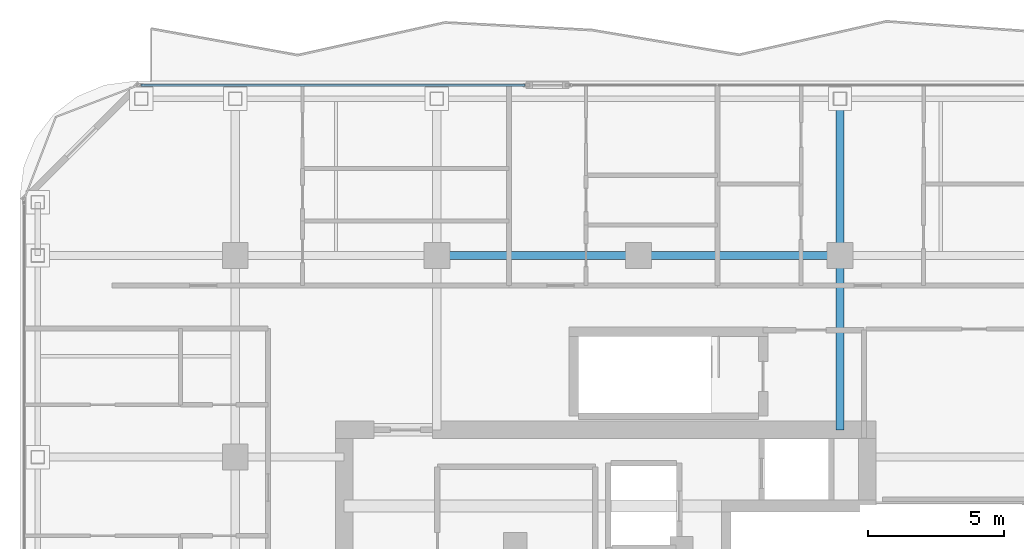
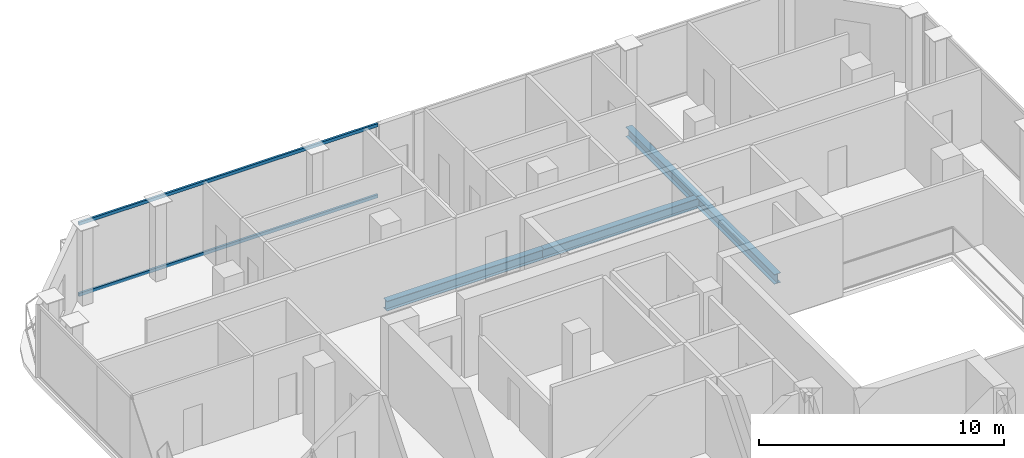
# One storey, part 11 of 22: 4 beams, 2 members, 1 element without a shape of its own.
"""IFC4 building model written with IfcOpenShell, lengths in metres."""

from ifc_helpers import new_model, si_unit, direction, frame, origin, origin_2d, place, context, subcontext, project, spatial, hollow_rectangle, i_section, extrude, material, layer, layer_set, material_profile, profile_set, type_object, element, aggregate, save


model = new_model("IFC4")

# Units and contexts
model_context = context("Model", 3, precision=1e-05, world=origin(), true_north=direction((0.0, 1.0)))
body_context = subcontext(model_context, "Body", "Model", "MODEL_VIEW")
ifc_project = project(units=[si_unit("LENGTHUNIT", "METRE"), si_unit("AREAUNIT", "SQUARE_METRE"), si_unit("VOLUMEUNIT", "CUBIC_METRE"), si_unit("PLANEANGLEUNIT", "RADIAN"), si_unit("MASSUNIT", "GRAM", prefix="KILO")], contexts=[model_context])

# Site, building, storey
site_placement = place(None, origin())
site = spatial("IfcSite", under=ifc_project, at=site_placement, CompositionType="ELEMENT")
building_placement = place(site_placement, origin())
building = spatial("IfcBuilding", under=site, at=building_placement, Name="Khorvyn Point Tower", CompositionType="ELEMENT")
storey_placement = place(building_placement, frame((0.0, 0.0, 309.300048828125)))
storey = spatial("IfcBuildingStorey", under=building, at=storey_placement, Name="L76", CompositionType="ELEMENT", Elevation=309.300048828125)

# Curtain wall, members
ifc_material_1 = material(Name="Anodised aluminium 6063-T6 and laminated Low-E glass", Category="aluminium")
ifc_layer = layer(ifc_material_1, 0.18994140625)
ifc_layer_set = layer_set([ifc_layer], Name="Stick-Built High-Wind Curtain Wall CW-SYS-04")
curtain_wall_type = type_object("IfcCurtainWallType", Name="Stick-Built High-Wind Curtain Wall CW-SYS-04", PredefinedType="NOTDEFINED", material=ifc_layer_set)
curtain_wall_placement = place(storey_placement, origin())
curtain_wall = element("IfcCurtainWall", 1, at=curtain_wall_placement, inside=storey, type_object=curtain_wall_type, Name="Curtain Wall", PredefinedType="NOTDEFINED")
ifc_material_2 = material(Name="Anodised aluminium 6063-T6", Category="aluminium")
ifc_material_profile_1 = material_profile(ifc_material_2, hollow_rectangle(XDim=0.10009765625, YDim=0.159912109375, WallThickness=0.00439453125, at=origin_2d()))
ifc_profile_set_1 = profile_set([ifc_material_profile_1], Name="Anodised aluminium 6063-T6 ALU-TRN-100x160")
member_type = type_object("IfcMemberType", Name="Anodised Aluminium 6063-T6 Transom ALU-TRN-100x160", PredefinedType="USERDEFINED", material=ifc_profile_set_1)
member_1_placement = place(storey_placement, frame((-18.25, 21.050048828125, 0.050048828125), z_axis=(1.0, 0.0, 0.0), x_axis=(0.0, 1.0, 0.0)))
member_1 = element("IfcMember", 2, at=member_1_placement, type_object=member_type, Name="Transom", ObjectType="TRANSOM", PredefinedType="USERDEFINED", context=body_context, shape_type="SweptSolid", body=[
    extrude(hollow_rectangle(XDim=0.10009765625, YDim=0.159912109375, WallThickness=0.00439453125, at=origin_2d()), origin(), (0.0, 0.0, 1.0), 14.090087890625),
])
member_2_placement = place(storey_placement, frame((-18.25, 21.050048828125, 3.58984375), z_axis=(1.0, 0.0, 0.0), x_axis=(0.0, 1.0, 0.0)))
member_2 = element("IfcMember", 3, at=member_2_placement, type_object=member_type, Name="Transom", ObjectType="TRANSOM", PredefinedType="USERDEFINED", context=body_context, shape_type="SweptSolid", body=[
    extrude(hollow_rectangle(XDim=0.10009765625, YDim=0.159912109375, WallThickness=0.00439453125, at=origin_2d()), origin(), (0.0, 0.0, 1.0), 14.090087890625),
])
aggregate(curtain_wall, [member_1, member_2])

# Beams
ifc_material_3 = material(Name="Steel S355", Category="steel")
ifc_material_profile_2 = material_profile(ifc_material_3, i_section(OverallWidth=0.300048828125, OverallDepth=0.488037109375, WebThickness=0.010986328125, FlangeThickness=0.01806640625, at=origin_2d()))
ifc_profile_set_2 = profile_set([ifc_material_profile_2], Name="Steel S355 H488x300x11x18")
beam_type = type_object("IfcBeamType", Name="Steel S355 Spandrel H488x300x11x18", PredefinedType="SPANDREL", material=ifc_profile_set_2)
for number, where, z_axis, x_axis, name in (
    (4, (-7.39990234375, 14.800048828125, -0.464111328125), (1.0, 0.0, 0.0), (0.0, 1.0, 0.0), "Beam"),
    (5, (0.0, 14.800048828125, -0.464111328125), (1.0, 0.0, 0.0), (0.0, 1.0, 0.0), "Beam"),
):
    element("IfcBeam", number, at=place(storey_placement, frame(where, z_axis=z_axis, x_axis=x_axis)), inside=storey, type_object=beam_type, Name=name, PredefinedType="SPANDREL", context=body_context, shape_type="SweptSolid", body=[
        extrude(i_section(OverallWidth=0.300048828125, OverallDepth=0.488037109375, WebThickness=0.010986328125, FlangeThickness=0.01806640625, at=origin_2d()), origin(), (0.0, 0.0, 1.0), 7.39990234375),
    ])
beam_1_placement = place(storey_placement, frame((7.39990234375, 8.39990234375, -0.464111328125), z_axis=(0.0, 1.0, 0.0), x_axis=(-1.0, 0.0, 0.0)))
element("IfcBeam", 6, at=beam_1_placement, inside=storey, type_object=beam_type, Name="Beam", PredefinedType="SPANDREL", context=body_context, shape_type="SweptSolid", body=[
    extrude(i_section(OverallWidth=0.300048828125, OverallDepth=0.488037109375, WebThickness=0.010986328125, FlangeThickness=0.01806640625, at=origin_2d()), origin(), (0.0, 0.0, 1.0), 6.400146484375),
])
beam_2_placement = place(storey_placement, frame((7.39990234375, 14.800048828125, -0.464111328125), z_axis=(0.0, 1.0, 0.0), x_axis=(-1.0, 0.0, 0.0)))
element("IfcBeam", 7, at=beam_2_placement, inside=storey, type_object=beam_type, Name="Beam", PredefinedType="SPANDREL", context=body_context, shape_type="SweptSolid", body=[
    extrude(i_section(OverallWidth=0.300048828125, OverallDepth=0.488037109375, WebThickness=0.010986328125, FlangeThickness=0.01806640625, at=origin_2d()), origin(), (0.0, 0.0, 1.0), 5.75),
])

save(model, "model.ifc")
